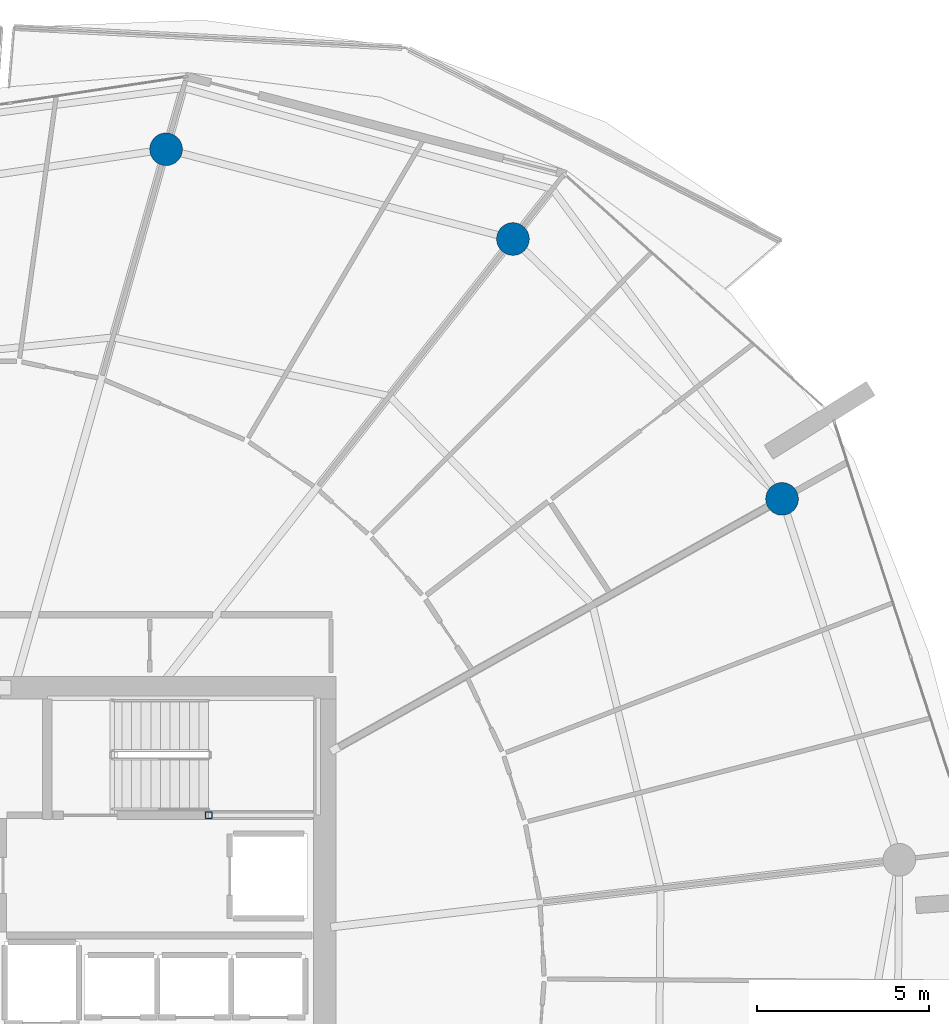
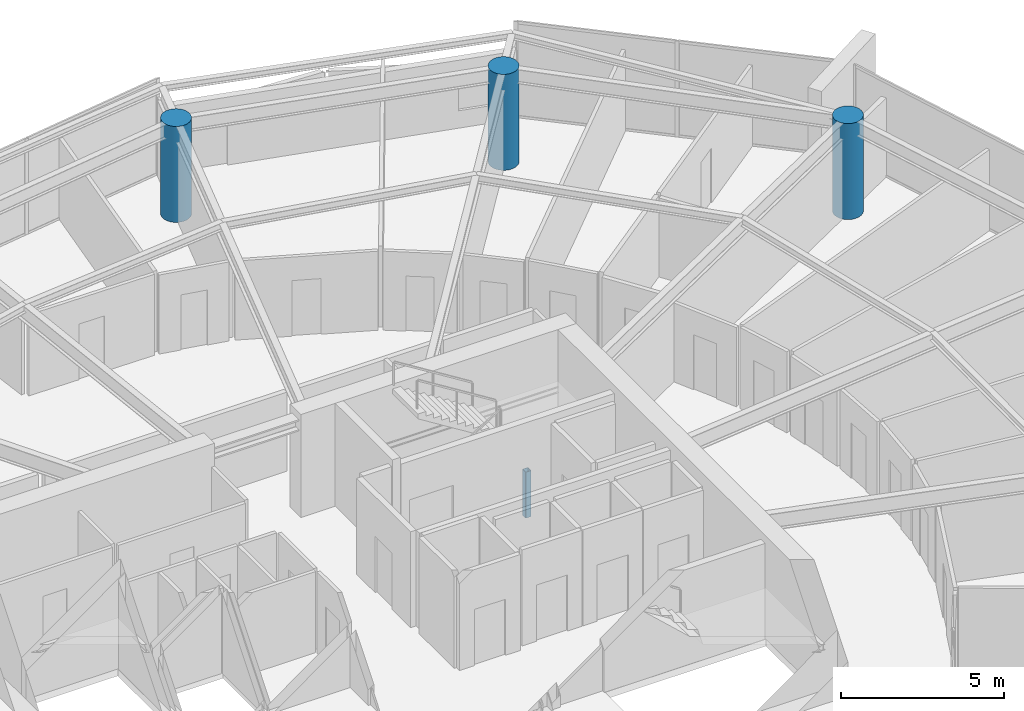
# One storey, part 5 of 31: 4 columns.
"""IFC4 building model written with IfcOpenShell, lengths in metres."""

from ifc_helpers import new_model, si_unit, direction, frame, origin, origin_2d, place, context, subcontext, project, spatial, hollow_rectangle, circle, extrude, material, material_profile, profile_set, type_object, element, save


model = new_model("IFC4")

# Units and contexts
model_context = context("Model", 3, precision=1e-05, world=origin(), true_north=direction((0.0, 1.0)))
body_context = subcontext(model_context, "Body", "Model", "MODEL_VIEW")
ifc_project = project(units=[si_unit("LENGTHUNIT", "METRE"), si_unit("AREAUNIT", "SQUARE_METRE"), si_unit("VOLUMEUNIT", "CUBIC_METRE"), si_unit("PLANEANGLEUNIT", "RADIAN"), si_unit("MASSUNIT", "GRAM", prefix="KILO")], contexts=[model_context])

# Site, building, storey
site_placement = place(None, origin())
site = spatial("IfcSite", under=ifc_project, at=site_placement, CompositionType="ELEMENT")
building_placement = place(site_placement, origin())
building = spatial("IfcBuilding", under=site, at=building_placement, Name="Kazma Halo Residences", CompositionType="ELEMENT")
storey_placement = place(building_placement, frame((0.0, 0.0, 240.550048828125)))
storey = spatial("IfcBuildingStorey", under=building, at=storey_placement, Name="L60", CompositionType="ELEMENT", Elevation=240.550048828125)

# Columns
ifc_material_1 = material(Name="Steel S355", Category="steel")
ifc_material_profile_1 = material_profile(ifc_material_1, hollow_rectangle(XDim=0.199951171875, YDim=0.199951171875, WallThickness=0.010009765625, InnerFilletRadius=0.010009765625, OuterFilletRadius=0.02001953125, at=origin_2d()), Name="SHS200x200x10")
ifc_profile_set_1 = profile_set([ifc_material_profile_1], Name="Steel S355")
column_type_1 = type_object("IfcColumnType", Name="COL-LP-SHS200", PredefinedType="COLUMN", material=ifc_profile_set_1)
column_placement = place(storey_placement, frame((56.0, 46.6201171875, 0.0), z_axis=(0.0, 0.0, 1.0), x_axis=(1.0, 0.0, 0.0)))
element("IfcColumn", 1, at=column_placement, inside=storey, type_object=column_type_1, Name="L60 ST-02 landing pilaster 1", PredefinedType="COLUMN", context=body_context, shape_type="SweptSolid", body=[
    extrude(hollow_rectangle(XDim=0.199951171875, YDim=0.199951171875, WallThickness=0.010009765625, InnerFilletRadius=0.010009765625, OuterFilletRadius=0.02001953125, at=origin_2d()), origin(), (0.0, 0.0, 1.0), 1.719970703125),
])
ifc_material_2 = material(Name="Concrete C60/75", Category="concrete")
ifc_material_profile_2 = material_profile(ifc_material_2, circle(Radius=0.47509765625, at=origin_2d()), Name="CIRC950")
ifc_profile_set_2 = profile_set([ifc_material_profile_2], Name="Concrete C60/75")
column_type_2 = type_object("IfcColumnType", Name="COL-PERIM-950", PredefinedType="COLUMN", material=ifc_profile_set_2)
for number, where, z_axis, x_axis, name in (
    (2, (72.67041015625, 55.81591796875, 0.0), (0.0, 0.0, 1.0), (1.0, 0.0, 0.0), "L60 perimeter ring column P01"),
    (3, (64.84716796875, 63.37060546875, 0.0), (0.0, 0.0, 1.0), (1.0, 0.0, 0.0), "L60 perimeter ring column P02"),
    (4, (54.762939453125, 65.9794921875, 0.0), (0.0, 0.0, 1.0), (1.0, 0.0, 0.0), "L60 perimeter ring column P03"),
):
    element("IfcColumn", number, at=place(storey_placement, frame(where, z_axis=z_axis, x_axis=x_axis)), inside=storey, type_object=column_type_2, Name=name, PredefinedType="COLUMN", context=body_context, shape_type="SweptSolid", body=[
        extrude(circle(Radius=0.47509765625, at=origin_2d()), origin(), (0.0, 0.0, 1.0), 3.58984375),
    ])

save(model, "model.ifc")
